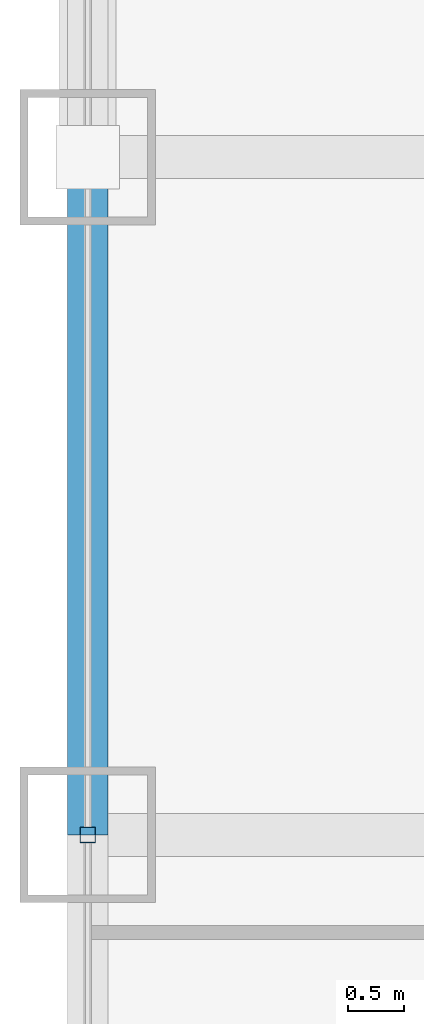
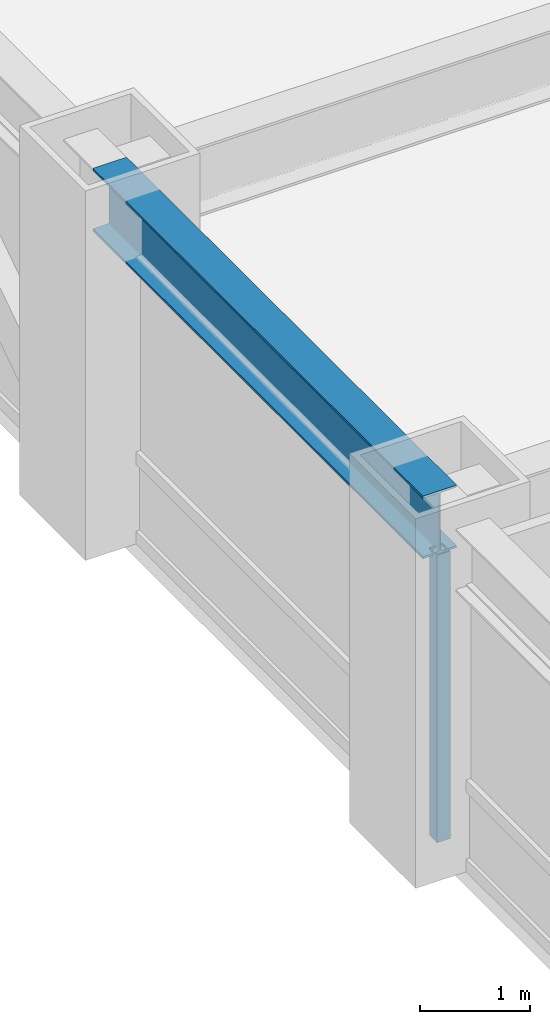
# One storey, part 8 of 27: 1 beam, 1 member, 1 element without a shape of its own.
"""IFC4 building model written with IfcOpenShell, lengths in metres."""

from ifc_helpers import new_model, si_unit, direction, frame, origin, origin_2d, place, context, subcontext, project, spatial, hollow_rectangle, i_section, extrude, source, transform, mapped, material, material_profile, profile_set, type_object, element, aggregate, save


model = new_model("IFC4")

# Units and contexts
model_context = context("Model", 3, precision=1e-05, world=origin(), true_north=direction((0.0, 1.0)))
body_context = subcontext(model_context, "Body", "Model", "MODEL_VIEW")
ifc_project = project(units=[si_unit("LENGTHUNIT", "METRE"), si_unit("AREAUNIT", "SQUARE_METRE"), si_unit("VOLUMEUNIT", "CUBIC_METRE"), si_unit("PLANEANGLEUNIT", "RADIAN"), si_unit("MASSUNIT", "GRAM", prefix="KILO")], contexts=[model_context])

# Site, building, storey
site_placement = place(None, origin())
site = spatial("IfcSite", under=ifc_project, at=site_placement, CompositionType="ELEMENT")
building_placement = place(site_placement, origin())
building = spatial("IfcBuilding", under=site, at=building_placement, Name="Khorayat Bourse Tower", CompositionType="ELEMENT")
storey_placement = place(building_placement, frame((0.0, 0.0, 107.800048828125)))
storey = spatial("IfcBuildingStorey", under=building, at=storey_placement, Name="L24", CompositionType="ELEMENT", Elevation=107.800048828125)

# Beam
ifc_material_1 = material(Name="Steel ASTM A992 Grade 50", Category="steel")
ifc_material_profile_1 = material_profile(ifc_material_1, i_section(OverallWidth=0.35498046875, OverallDepth=0.695068359375, WebThickness=0.015380859375, FlangeThickness=0.02490234375, FilletRadius=0.01806640625, at=origin_2d()), Name="W690X217")
ifc_profile_set_1 = profile_set([ifc_material_profile_1], Name="Steel ASTM A992 Grade 50")
beam_type = type_object("IfcBeamType", Name="BM-SPAN-690", PredefinedType="SPANDREL", material=ifc_profile_set_1)
shared_shape_1 = source(origin(), body_context, "Body", "SweptSolid", [
    extrude(i_section(OverallWidth=0.35498046875, OverallDepth=0.695068359375, WebThickness=0.015380859375, FlangeThickness=0.02490234375, FilletRadius=0.01806640625, at=origin_2d()), origin(), (0.0, 0.0, 1.0), 6.0),
])
beam_placement = place(storey_placement, frame((-32.0, 0.0, 3.492431640625), z_axis=(0.0, 1.0, 0.0), x_axis=(-1.0, 0.0, 0.0)))
element("IfcBeam", 1, at=beam_placement, inside=storey, type_object=beam_type, Name="L24 BM-SPAN-690 BM-L24-SPN-057", PredefinedType="SPANDREL", context=body_context, shape_type="MappedRepresentation", body=[
    mapped(shared_shape_1, transform((0.0, 0.0, 0.0), scale=1.0)),
])

# Curtain wall, member
ifc_material_2 = material(Name="Aluminium EN AW-6063 T6", Category="aluminium")
curtain_wall_type = type_object("IfcCurtainWallType", Name="CW-SYS-02", PredefinedType="NOTDEFINED", material=ifc_material_2)
curtain_wall_placement = place(storey_placement, origin())
curtain_wall = element("IfcCurtainWall", 2, at=curtain_wall_placement, inside=storey, type_object=curtain_wall_type, Name="L24 Curtain Wall CW-L24-W1", PredefinedType="NOTDEFINED")
ifc_material_profile_2 = material_profile(ifc_material_2, hollow_rectangle(XDim=0.139892578125, YDim=0.139892578125, WallThickness=0.006103515625, at=origin_2d()), Name="ALU 140x140x6")
ifc_profile_set_2 = profile_set([ifc_material_profile_2], Name="Aluminium EN AW-6063 T6")
member_type = type_object("IfcMemberType", Name="CWM-VERT-140", PredefinedType="MULLION", material=ifc_profile_set_2)
shared_shape_2 = source(origin(), body_context, "Body", "SweptSolid", [
    extrude(hollow_rectangle(XDim=0.139892578125, YDim=0.139892578125, WallThickness=0.006103515625, at=origin_2d()), origin(), (0.0, 0.0, 1.0), 3.18994140625),
])
member_placement = place(storey_placement, frame((-32.0, 0.0, 0.0), z_axis=(0.0, 0.0, 1.0), x_axis=(-1.0, 0.0, 0.0)))
member = element("IfcMember", 3, at=member_placement, type_object=member_type, Name="CW-L24-W1 Vertical Mullion 2", PredefinedType="MULLION", context=body_context, shape_type="MappedRepresentation", body=[
    mapped(shared_shape_2, transform((0.0, 0.0, 0.0), scale=1.0)),
])
aggregate(curtain_wall, [member])

save(model, "model.ifc")
